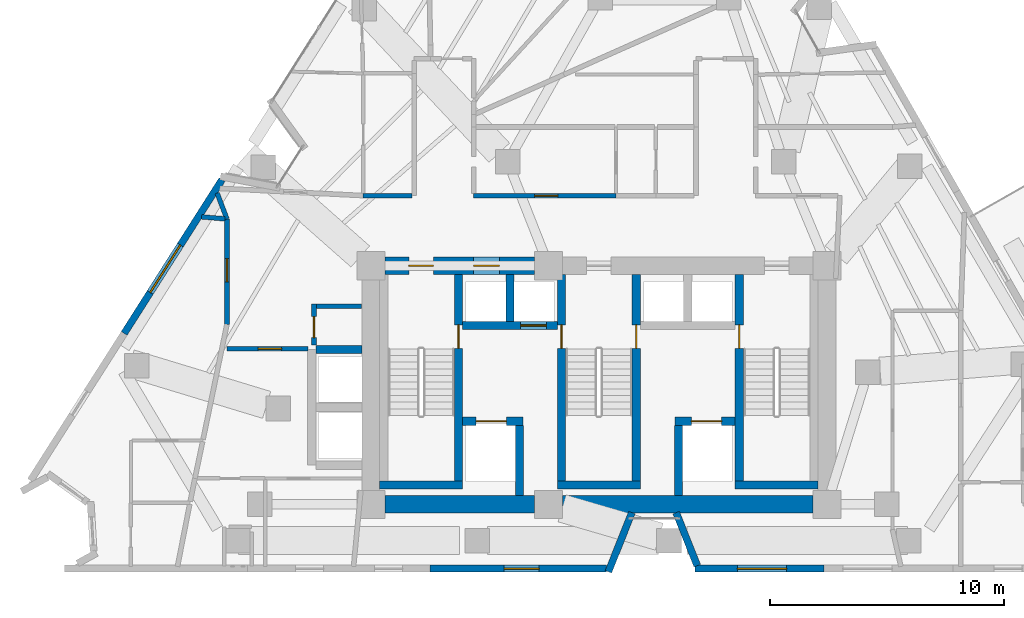
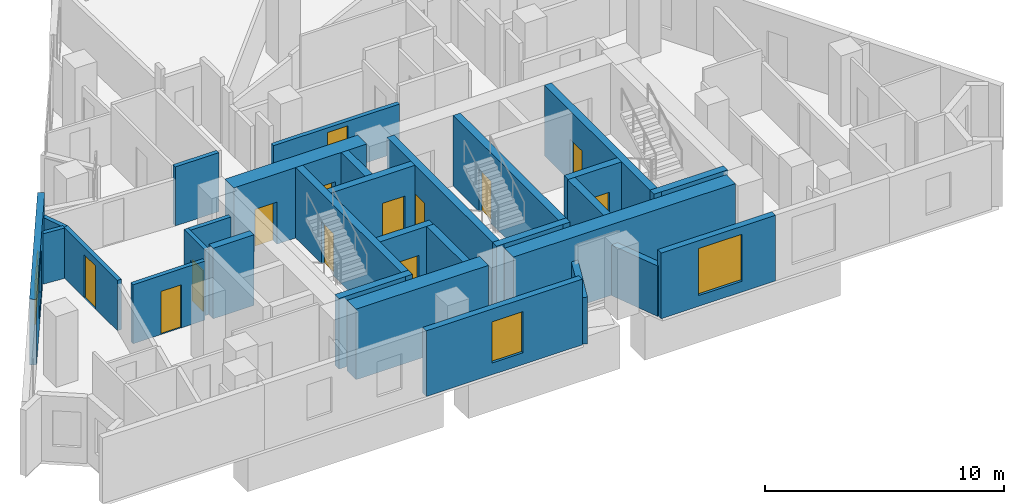
# One storey, part 7 of 12: 30 walls, 13 doors, 3 windows, 16 openings.
"""IFC4 building model written with IfcOpenShell, lengths in metres."""

from ifc_helpers import new_model, si_unit, direction, frame, frame_2d, origin, place, context, subcontext, project, spatial, rectangle, extrude, material, layer, layer_set, type_object, element, fill, save


model = new_model("IFC4")

# Units and contexts
model_context = context("Model", 3, precision=1e-05, world=origin(), true_north=direction((0.0, 1.0)))
body_context = subcontext(model_context, "Body", "Model", "MODEL_VIEW")
ifc_project = project(units=[si_unit("LENGTHUNIT", "METRE"), si_unit("AREAUNIT", "SQUARE_METRE"), si_unit("VOLUMEUNIT", "CUBIC_METRE"), si_unit("PLANEANGLEUNIT", "RADIAN"), si_unit("MASSUNIT", "GRAM", prefix="KILO")], contexts=[model_context])

# Site, building, storey
site_placement = place(None, origin())
site = spatial("IfcSite", under=ifc_project, at=site_placement, CompositionType="ELEMENT")
building_placement = place(site_placement, origin())
building = spatial("IfcBuilding", under=site, at=building_placement, Name="Almagre Mirador Tower", CompositionType="ELEMENT")
storey_placement = place(building_placement, frame((0.0, 0.0, 132.0)))
storey = spatial("IfcBuildingStorey", under=building, at=storey_placement, Name="L33", CompositionType="ELEMENT", Elevation=132.0)

# Wall, opening, window
ifc_material_1 = material(Name="Precast concrete C50/60", Category="concrete")
ifc_layer_1 = layer(ifc_material_1, 0.300048828125)
ifc_layer_set_1 = layer_set([ifc_layer_1], Name="Precast concrete C50/60")
wall_type_1 = type_object("IfcWallType", Name="WAL-EXT-300", PredefinedType="SOLIDWALL", material=ifc_layer_set_1)
wall_1_placement = place(storey_placement, frame((46.924072265625, 1.800048828125, 0.0), z_axis=(0.0, 0.0, 1.0), x_axis=(-1.0, 0.0, 0.0)))
wall_1 = element("IfcWall", 1, at=wall_1_placement, inside=storey, type_object=wall_type_1, Name="L33 expressed almagre precast frame wall 22", PredefinedType="SOLIDWALL", context=body_context, shape_type="SweptSolid", body=[
    extrude(rectangle(XDim=5.508056640625, YDim=0.300048828125, at=frame_2d((2.75390625, 0.0))), origin(), (0.0, 0.0, 1.0), 3.35009765625),
])
opening_1_placement = place(wall_1_placement, frame((1.60009765625, 0.0, 0.550048828125)))
opening_1 = element("IfcOpeningElement", 2, at=opening_1_placement, cuts=wall_1, Name="Opening WN-05", PredefinedType="OPENING", context=body_context, shape_type="SweptSolid", body=[
    extrude(rectangle(XDim=2.10009765625, YDim=2.39990234375, at=frame_2d((1.050048828125, 1.199951171875))), frame((0.0, 0.159902, 0.0), z_axis=(0.0, -1.0, 0.0), x_axis=(1.0, 0.0, 0.0)), (0.0, 0.0, 1.0), 0.320049),
])
ifc_material_2 = material(Name="Dark solar-control laminated hurricane glass", Category="glass")
window_type_1 = type_object("IfcWindowType", Name="WIN-2100X2400", PartitioningType="DOUBLE_PANEL_VERTICAL", PredefinedType="WINDOW", material=ifc_material_2)
window_1_placement = place(opening_1_placement, origin())
window_1 = element("IfcWindow", 3, at=window_1_placement, inside=storey, type_object=window_type_1, Name="L33 recessed hurricane window L33-RST-C", OverallHeight=2.39990234375, OverallWidth=2.10009765625, PartitioningType="SINGLE_PANEL", PredefinedType="WINDOW", context=body_context, shape_type="SweptSolid", body=[
    extrude(rectangle(XDim=2.10009765625, YDim=2.39990234375, at=frame_2d((1.050048828125, 1.199951171875))), frame((0.0, 0.030029296875, 0.0), z_axis=(0.0, -1.0, 0.0), x_axis=(1.0, 0.0, 0.0)), (0.0, 0.0, 1.0), 0.06005859375),
])
fill(opening_1, window_1)

# Walls
wall_2_placement = place(storey_placement, frame((41.504150390625, 1.93017578125, 0.0), z_axis=(0.0, 0.0, 1.0), x_axis=(-0.369476217581, 0.929240186734, 0.0)))
element("IfcWall", 4, at=wall_2_placement, inside=storey, type_object=wall_type_1, Name="L33 expressed almagre precast frame wall 23", PredefinedType="SOLIDWALL", context=body_context, shape_type="SweptSolid", body=[
    extrude(rectangle(XDim=2.441650390625, YDim=0.300048828125, at=frame_2d((1.220703125, 0.0))), origin(), (0.0, 0.0, 1.0), 2.574951171875),
])
wall_3_placement = place(storey_placement, frame((38.7099609375, 4.198974609375, 0.0), z_axis=(0.0, 0.0, 1.0), x_axis=(-0.369487569888, -0.929235672851, 0.0)))
element("IfcWall", 5, at=wall_3_placement, inside=storey, type_object=wall_type_1, Name="L33 expressed almagre precast frame wall 24", PredefinedType="SOLIDWALL", context=body_context, shape_type="SweptSolid", body=[
    extrude(rectangle(XDim=2.7216796875, YDim=0.300048828125, at=frame_2d((1.36083984375, 0.0))), origin(), (0.0, 0.0, 1.0), 2.376953125),
])

# Wall, opening, window
wall_4_placement = place(storey_placement, frame((37.62109375, 1.800048828125, 0.0), z_axis=(0.0, 0.0, 1.0), x_axis=(-1.0, 0.0, 0.0)))
wall_4 = element("IfcWall", 6, at=wall_4_placement, inside=storey, type_object=wall_type_1, Name="L33 expressed almagre precast frame wall 25", PredefinedType="SOLIDWALL", context=body_context, shape_type="SweptSolid", body=[
    extrude(rectangle(XDim=7.537109375, YDim=0.300048828125, at=frame_2d((3.7685546875, 0.0))), origin(), (0.0, 0.0, 1.0), 3.35009765625),
])
opening_2_placement = place(wall_4_placement, frame((2.875, 0.0, 0.60009765625)))
opening_2 = element("IfcOpeningElement", 7, at=opening_2_placement, cuts=wall_4, Name="Opening WN-03", PredefinedType="OPENING", context=body_context, shape_type="SweptSolid", body=[
    extrude(rectangle(XDim=1.5, YDim=2.10009765625, at=frame_2d((0.75, 1.050048828125))), frame((0.0, 0.159902, 0.0), z_axis=(0.0, -1.0, 0.0), x_axis=(1.0, 0.0, 0.0)), (0.0, 0.0, 1.0), 0.320049),
])
ifc_material_3 = material(Name="Dark solar-control laminated hurricane glass", Category="glass")
window_type_2 = type_object("IfcWindowType", Name="WIN-1500X2100", PartitioningType="DOUBLE_PANEL_VERTICAL", PredefinedType="WINDOW", material=ifc_material_3)
window_2_placement = place(opening_2_placement, origin())
window_2 = element("IfcWindow", 8, at=window_2_placement, inside=storey, type_object=window_type_2, Name="L33 recessed hurricane window L33-RST-C", OverallHeight=2.10009765625, OverallWidth=1.5, PartitioningType="SINGLE_PANEL", PredefinedType="WINDOW", context=body_context, shape_type="SweptSolid", body=[
    extrude(rectangle(XDim=1.5, YDim=2.10009765625, at=frame_2d((0.75, 1.050048828125))), frame((0.0, 0.030029296875, 0.0), z_axis=(0.0, -1.0, 0.0), x_axis=(1.0, 0.0, 0.0)), (0.0, 0.0, 1.0), 0.06005859375),
])
fill(opening_2, window_2)

wall_5_placement = place(storey_placement, frame((17.006103515625, 11.859619140625, 0.0), z_axis=(0.0, 0.0, 1.0), x_axis=(0.537098524817, 0.843519516454, 0.0)))
wall_5 = element("IfcWall", 9, at=wall_5_placement, inside=storey, type_object=wall_type_1, Name="L33 expressed almagre precast frame wall 33", PredefinedType="SOLIDWALL", context=body_context, shape_type="SweptSolid", body=[
    extrude(rectangle(XDim=7.79052734375, YDim=0.300048828125, at=frame_2d((3.895263671875, 0.0))), origin(), (0.0, 0.0, 1.0), 3.35009765625),
])
opening_3_placement = place(wall_5_placement, frame((2.074951171875, 0.0, 0.60009765625)))
opening_3 = element("IfcOpeningElement", 10, at=opening_3_placement, cuts=wall_5, Name="Opening WN-02", PredefinedType="OPENING", context=body_context, shape_type="SweptSolid", body=[
    extrude(rectangle(XDim=2.39990234375, YDim=2.10009765625, at=frame_2d((1.199951171875, 1.050048828125))), frame((0.0, 0.159902, 0.0), z_axis=(0.0, -1.0, 0.0), x_axis=(1.0, 0.0, 0.0)), (0.0, 0.0, 1.0), 0.320049),
])
ifc_material_4 = material(Name="Dark solar-control laminated hurricane glass", Category="glass")
window_type_3 = type_object("IfcWindowType", Name="WIN-2400X2100", PartitioningType="TRIPLE_PANEL_VERTICAL", PredefinedType="WINDOW", material=ifc_material_4)
window_3_placement = place(opening_3_placement, origin())
window_3 = element("IfcWindow", 11, at=window_3_placement, inside=storey, type_object=window_type_3, Name="L33 recessed hurricane window L33-UA-ST", OverallHeight=2.10009765625, OverallWidth=2.39990234375, PartitioningType="SINGLE_PANEL", PredefinedType="WINDOW", context=body_context, shape_type="SweptSolid", body=[
    extrude(rectangle(XDim=2.39990234375, YDim=2.10009765625, at=frame_2d((1.199951171875, 1.050048828125))), frame((0.0, 0.030029296875, 0.0), z_axis=(0.0, -1.0, 0.0), x_axis=(1.0, 0.0, 0.0)), (0.0, 0.0, 1.0), 0.06005859375),
])
fill(opening_3, window_3)

# Wall, opening, door
ifc_material_5 = material(Name="Gypsum acoustic stud partition", Category="other")
ifc_layer_2 = layer(ifc_material_5, 0.199951171875)
ifc_layer_set_2 = layer_set([ifc_layer_2], Name="Gypsum acoustic stud partition")
wall_type_2 = type_object("IfcWallType", Name="WAL-PRT-200-EI60", PredefinedType="PARTITIONING", material=ifc_layer_set_2)
wall_6_placement = place(storey_placement, frame((25.1201171875, 11.3701171875, 0.0), z_axis=(0.0, 0.0, 1.0), x_axis=(0.0, 1.0, 0.0)))
wall_6 = element("IfcWall", 12, at=wall_6_placement, inside=storey, type_object=wall_type_2, Name="L33 core ancillary west wall", PredefinedType="PARTITIONING", context=body_context, shape_type="SweptSolid", body=[
    extrude(rectangle(XDim=1.739990234375, YDim=0.199951171875, at=frame_2d((0.8701171875, 0.0))), origin(), (0.0, 0.0, 1.0), 3.35009765625),
])
opening_4_placement = place(wall_6_placement, frame((0.304931640625, 0.0, 0.0)))
opening_4 = element("IfcOpeningElement", 13, at=opening_4_placement, cuts=wall_6, Name="Opening ID-03", PredefinedType="OPENING", context=body_context, shape_type="SweptSolid", body=[
    extrude(rectangle(XDim=0.89990234375, YDim=2.10009765625, at=frame_2d((0.449951171875, 1.050048828125))), frame((0.0, 0.110098, 0.0), z_axis=(0.0, -1.0, 0.0), x_axis=(1.0, 0.0, 0.0)), (0.0, 0.0, 1.0), 0.219951),
])
ifc_material_6 = material(Name="Fire-rated hollow steel", Category="steel")
door_type_1 = type_object("IfcDoorType", Name="DOR-FD60-900X2100", OperationType="NOTDEFINED", PredefinedType="DOOR", material=ifc_material_6)
door_1_placement = place(opening_4_placement, origin())
door_1 = element("IfcDoor", 14, at=door_1_placement, inside=storey, type_object=door_type_1, Name="DR-1066 L33 core ancillary corridor door", OperationType="SINGLE_SWING_RIGHT", OverallHeight=2.10009765625, OverallWidth=0.89990234375, PredefinedType="DOOR", context=body_context, shape_type="SweptSolid", body=[
    extrude(rectangle(XDim=0.89990234375, YDim=2.10009765625, at=frame_2d((0.449951171875, 1.050048828125))), frame((0.0, 0.02490234375, 0.0), z_axis=(0.0, -1.0, 0.0), x_axis=(1.0, 0.0, 0.0)), (0.0, 0.0, 1.0), 0.050048828125),
])
fill(opening_4, door_1)

# Wall
wall_7_placement = place(storey_placement, frame((25.22509765625, 13.02001953125, 0.0), z_axis=(0.0, 0.0, 1.0), x_axis=(1.0, 0.0, 0.0)))
element("IfcWall", 15, at=wall_7_placement, inside=storey, type_object=wall_type_2, Name="L33 core ancillary north wall", PredefinedType="PARTITIONING", context=body_context, shape_type="SweptSolid", body=[
    extrude(rectangle(XDim=1.934814453125, YDim=0.199951171875, at=frame_2d((0.96728515625, 0.0))), origin(), (0.0, 0.0, 1.0), 3.35009765625),
])

# Wall, opening, door
wall_8_placement = place(storey_placement, frame((21.39990234375, 16.75, 0.0), z_axis=(0.0, 0.0, 1.0), x_axis=(0.0, -1.0, 0.0)))
wall_8 = element("IfcWall", 16, at=wall_8_placement, inside=storey, type_object=wall_type_2, Name="L33 interior partition 001", PredefinedType="PARTITIONING", context=body_context, shape_type="SweptSolid", body=[
    extrude(rectangle(XDim=4.5, YDim=0.199951171875, at=frame_2d((2.25, 0.0))), origin(), (0.0, 0.0, 1.0), 2.570068359375),
])
opening_5_placement = place(wall_8_placement, frame((1.6904296875, 0.0, 0.0)))
opening_5 = element("IfcOpeningElement", 17, at=opening_5_placement, cuts=wall_8, Name="Opening ID-01", PredefinedType="OPENING", context=body_context, shape_type="SweptSolid", body=[
    extrude(rectangle(XDim=1.0, YDim=2.199951171875, at=frame_2d((0.5, 1.10009765625))), frame((0.0, 0.110098, 0.0), z_axis=(0.0, -1.0, 0.0), x_axis=(1.0, 0.0, 0.0)), (0.0, 0.0, 1.0), 0.219951),
])
ifc_material_7 = material(Name="Fire-rated walnut timber", Category="wood")
door_type_2 = type_object("IfcDoorType", Name="DOR-FD60-1000X2200", OperationType="NOTDEFINED", PredefinedType="DOOR", material=ifc_material_7)
door_2_placement = place(opening_5_placement, origin())
door_2 = element("IfcDoor", 18, at=door_2_placement, inside=storey, type_object=door_type_2, Name="DR-1072 L33 interior door L33-RCOR to L33-UA-ST", OperationType="SINGLE_SWING_RIGHT", OverallHeight=2.199951171875, OverallWidth=1.0, PredefinedType="DOOR", context=body_context, shape_type="SweptSolid", body=[
    extrude(rectangle(XDim=1.0, YDim=2.199951171875, at=frame_2d((0.5, 1.10009765625))), frame((0.0, 0.02490234375, 0.0), z_axis=(0.0, -1.0, 0.0), x_axis=(1.0, 0.0, 0.0)), (0.0, 0.0, 1.0), 0.050048828125),
])
fill(opening_5, door_2)

wall_9_placement = place(storey_placement, frame((21.39990234375, 11.199951171875, 0.0), z_axis=(0.0, 0.0, 1.0), x_axis=(1.0, 0.0, 0.0)))
wall_9 = element("IfcWall", 19, at=wall_9_placement, inside=storey, type_object=wall_type_2, Name="L33 interior partition 003", PredefinedType="PARTITIONING", context=body_context, shape_type="SweptSolid", body=[
    extrude(rectangle(XDim=3.46923828125, YDim=0.199951171875, at=frame_2d((1.734619140625, 0.0))), origin(), (0.0, 0.0, 1.0), 3.010009765625),
])
opening_6_placement = place(wall_9_placement, frame((1.334716796875, 0.0, 0.0)))
opening_6 = element("IfcOpeningElement", 20, at=opening_6_placement, cuts=wall_9, Name="Opening ID-01", PredefinedType="OPENING", context=body_context, shape_type="SweptSolid", body=[
    extrude(rectangle(XDim=1.0, YDim=2.199951171875, at=frame_2d((0.5, 1.10009765625))), frame((0.0, 0.110098, 0.0), z_axis=(0.0, -1.0, 0.0), x_axis=(1.0, 0.0, 0.0)), (0.0, 0.0, 1.0), 0.219951),
])
door_3_placement = place(opening_6_placement, origin())
door_3 = element("IfcDoor", 21, at=door_3_placement, inside=storey, type_object=door_type_2, Name="DR-1075 L33 interior door L33-RCOR to L33-UB-ST", OperationType="SINGLE_SWING_LEFT", OverallHeight=2.199951171875, OverallWidth=1.0, PredefinedType="DOOR", context=body_context, shape_type="SweptSolid", body=[
    extrude(rectangle(XDim=1.0, YDim=2.199951171875, at=frame_2d((0.5, 1.10009765625))), frame((0.0, 0.02490234375, 0.0), z_axis=(0.0, -1.0, 0.0), x_axis=(1.0, 0.0, 0.0)), (0.0, 0.0, 1.0), 0.050048828125),
])
fill(opening_6, door_3)

wall_10_placement = place(storey_placement, frame((38.030029296875, 17.75, 0.0), z_axis=(0.0, 0.0, 1.0), x_axis=(-1.0, 0.0, 0.0)))
wall_10 = element("IfcWall", 22, at=wall_10_placement, inside=storey, type_object=wall_type_2, Name="L33 interior partition 008", PredefinedType="PARTITIONING", context=body_context, shape_type="SweptSolid", body=[
    extrude(rectangle(XDim=6.080078125, YDim=0.199951171875, at=frame_2d((3.0400390625, 0.0))), origin(), (0.0, 0.0, 1.0), 2.43603515625),
])
opening_7_placement = place(wall_10_placement, frame((2.4814453125, 0.0, 0.0)))
opening_7 = element("IfcOpeningElement", 23, at=opening_7_placement, cuts=wall_10, Name="Opening ID-01", PredefinedType="OPENING", context=body_context, shape_type="SweptSolid", body=[
    extrude(rectangle(XDim=1.0, YDim=2.199951171875, at=frame_2d((0.5, 1.10009765625))), frame((0.0, 0.110098, 0.0), z_axis=(0.0, -1.0, 0.0), x_axis=(1.0, 0.0, 0.0)), (0.0, 0.0, 1.0), 0.219951),
])
door_4_placement = place(opening_7_placement, origin())
door_4 = element("IfcDoor", 24, at=door_4_placement, inside=storey, type_object=door_type_2, Name="DR-1083 L33 interior door L33-RCOR to L33-UF-ST", OperationType="SINGLE_SWING_RIGHT", OverallHeight=2.199951171875, OverallWidth=1.0, PredefinedType="DOOR", context=body_context, shape_type="SweptSolid", body=[
    extrude(rectangle(XDim=1.0, YDim=2.199951171875, at=frame_2d((0.5, 1.10009765625))), frame((0.0, 0.02490234375, 0.0), z_axis=(0.0, -1.0, 0.0), x_axis=(1.0, 0.0, 0.0)), (0.0, 0.0, 1.0), 0.050048828125),
])
fill(opening_7, door_4)

# Walls
wall_11_placement = place(storey_placement, frame((20.98095703125, 17.85693359375, 0.0), z_axis=(0.0, 0.0, 1.0), x_axis=(0.353970125301, -0.935256729671, 0.0)))
element("IfcWall", 25, at=wall_11_placement, inside=storey, type_object=wall_type_2, Name="L33 interior partition 015", PredefinedType="PARTITIONING", context=body_context, shape_type="SweptSolid", body=[
    extrude(rectangle(XDim=1.18359375, YDim=0.199951171875, at=frame_2d((0.591796875, 0.0))), origin(), (0.0, 0.0, 1.0), 2.570068359375),
])
wall_12_placement = place(storey_placement, frame((29.31494140625, 17.75, 0.0), z_axis=(0.0, 0.0, 1.0), x_axis=(-1.0, 0.0, 0.0)))
element("IfcWall", 26, at=wall_12_placement, inside=storey, type_object=wall_type_2, Name="L33 interior partition 019", PredefinedType="PARTITIONING", context=body_context, shape_type="SweptSolid", body=[
    extrude(rectangle(XDim=2.094970703125, YDim=0.199951171875, at=frame_2d((1.04736328125, 0.0))), origin(), (0.0, 0.0, 1.0), 3.010009765625),
])
wall_13_placement = place(storey_placement, frame((21.315185546875, 16.75537109375, 0.0), z_axis=(0.0, 0.0, 1.0), x_axis=(-0.996327050831, 0.085629479638, 0.0)))
element("IfcWall", 27, at=wall_13_placement, inside=storey, type_object=wall_type_2, Name="L33 interior partition 034", PredefinedType="PARTITIONING", context=body_context, shape_type="SweptSolid", body=[
    extrude(rectangle(XDim=1.000732421875, YDim=0.199951171875, at=frame_2d((0.50048828125, 0.0))), origin(), (0.0, 0.0, 1.0), 2.570068359375),
])

# Wall, opening, door
ifc_material_8 = material(Name="Concrete C60/75", Category="concrete")
ifc_layer_3 = layer(ifc_material_8, 0.35009765625)
ifc_layer_set_3 = layer_set([ifc_layer_3], Name="Concrete C60/75")
wall_type_3 = type_object("IfcWallType", Name="WAL-SHF-350", PredefinedType="SOLIDWALL", material=ifc_layer_set_3)
wall_14_placement = place(storey_placement, frame((31.300048828125, 5.199951171875, 0.0), z_axis=(0.0, 0.0, 1.0), x_axis=(0.0, 1.0, 0.0)))
wall_14 = element("IfcWall", 28, at=wall_14_placement, inside=storey, type_object=wall_type_3, Name="L33 shaft wall ST1-E", PredefinedType="SOLIDWALL", context=body_context, shape_type="SweptSolid", body=[
    extrude(rectangle(XDim=9.175048828125, YDim=0.35009765625, at=frame_2d((4.58740234375, 0.0))), origin(), (0.0, 0.0, 1.0), 3.60009765625),
])
opening_8_placement = place(wall_14_placement, frame((6.02001953125, 0.0, 0.0)))
opening_8 = element("IfcOpeningElement", 29, at=opening_8_placement, cuts=wall_14, Name="Opening FD-01", PredefinedType="OPENING", context=body_context, shape_type="SweptSolid", body=[
    extrude(rectangle(XDim=1.0, YDim=2.14990234375, at=frame_2d((0.5, 1.074951171875))), frame((0.0, 0.185049, 0.0), z_axis=(0.0, -1.0, 0.0), x_axis=(1.0, 0.0, 0.0)), (0.0, 0.0, 1.0), 0.370098),
])
ifc_material_9 = material(Name="Fire-rated hollow steel", Category="steel")
door_type_3 = type_object("IfcDoorType", Name="DOR-FFL-1000X2150", OperationType="NOTDEFINED", PredefinedType="DOOR", material=ifc_material_9)
door_5_placement = place(opening_8_placement, origin())
door_5 = element("IfcDoor", 30, at=door_5_placement, inside=storey, type_object=door_type_3, Name="DR-1067 L33 FFL1-ST1 smokeproof door", OperationType="SINGLE_SWING_RIGHT", OverallHeight=2.14990234375, OverallWidth=1.0, PredefinedType="DOOR", context=body_context, shape_type="SweptSolid", body=[
    extrude(rectangle(XDim=1.0, YDim=2.14990234375, at=frame_2d((0.5, 1.074951171875))), frame((0.0, 0.02490234375, 0.0), z_axis=(0.0, -1.0, 0.0), x_axis=(1.0, 0.0, 0.0)), (0.0, 0.0, 1.0), 0.050048828125),
])
fill(opening_8, door_5)

# Wall
wall_15_placement = place(storey_placement, frame((27.925048828125, 5.375, 0.0), z_axis=(0.0, 0.0, 1.0), x_axis=(1.0, 0.0, 0.0)))
element("IfcWall", 31, at=wall_15_placement, inside=storey, type_object=wall_type_3, Name="L33 shaft wall ST1-S", PredefinedType="SOLIDWALL", context=body_context, shape_type="SweptSolid", body=[
    extrude(rectangle(XDim=3.550048828125, YDim=0.35009765625, at=frame_2d((1.77490234375, 0.0))), origin(), (0.0, 0.0, 1.0), 3.60009765625),
])

# Wall, opening, door
wall_16_placement = place(storey_placement, frame((35.699951171875, 5.199951171875, 0.0), z_axis=(0.0, 0.0, 1.0), x_axis=(0.0, 1.0, 0.0)))
wall_16 = element("IfcWall", 32, at=wall_16_placement, inside=storey, type_object=wall_type_3, Name="L33 shaft wall ST2-W", PredefinedType="SOLIDWALL", context=body_context, shape_type="SweptSolid", body=[
    extrude(rectangle(XDim=9.175048828125, YDim=0.35009765625, at=frame_2d((4.58740234375, 0.0))), origin(), (0.0, 0.0, 1.0), 3.60009765625),
])
opening_9_placement = place(wall_16_placement, frame((6.02001953125, 0.0, 0.0)))
opening_9 = element("IfcOpeningElement", 33, at=opening_9_placement, cuts=wall_16, Name="Opening FD-01", PredefinedType="OPENING", context=body_context, shape_type="SweptSolid", body=[
    extrude(rectangle(XDim=1.0, YDim=2.14990234375, at=frame_2d((0.5, 1.074951171875))), frame((0.0, 0.185049, 0.0), z_axis=(0.0, -1.0, 0.0), x_axis=(1.0, 0.0, 0.0)), (0.0, 0.0, 1.0), 0.370098),
])
door_6_placement = place(opening_9_placement, origin())
door_6 = element("IfcDoor", 34, at=door_6_placement, inside=storey, type_object=door_type_3, Name="DR-1068 L33 FFL1-ST2 smokeproof door", OperationType="SINGLE_SWING_LEFT", OverallHeight=2.14990234375, OverallWidth=1.0, PredefinedType="DOOR", context=body_context, shape_type="SweptSolid", body=[
    extrude(rectangle(XDim=1.0, YDim=2.14990234375, at=frame_2d((0.5, 1.074951171875))), frame((0.0, 0.02490234375, 0.0), z_axis=(0.0, -1.0, 0.0), x_axis=(1.0, 0.0, 0.0)), (0.0, 0.0, 1.0), 0.050048828125),
])
fill(opening_9, door_6)

wall_17_placement = place(storey_placement, frame((38.89990234375, 5.199951171875, 0.0), z_axis=(0.0, 0.0, 1.0), x_axis=(0.0, 1.0, 0.0)))
wall_17 = element("IfcWall", 35, at=wall_17_placement, inside=storey, type_object=wall_type_3, Name="L33 shaft wall ST2-E", PredefinedType="SOLIDWALL", context=body_context, shape_type="SweptSolid", body=[
    extrude(rectangle(XDim=9.175048828125, YDim=0.35009765625, at=frame_2d((4.58740234375, 0.0))), origin(), (0.0, 0.0, 1.0), 3.60009765625),
])
opening_10_placement = place(wall_17_placement, frame((6.02001953125, 0.0, 0.0)))
opening_10 = element("IfcOpeningElement", 36, at=opening_10_placement, cuts=wall_17, Name="Opening FD-01", PredefinedType="OPENING", context=body_context, shape_type="SweptSolid", body=[
    extrude(rectangle(XDim=1.0, YDim=2.14990234375, at=frame_2d((0.5, 1.074951171875))), frame((0.0, 0.185049, 0.0), z_axis=(0.0, -1.0, 0.0), x_axis=(1.0, 0.0, 0.0)), (0.0, 0.0, 1.0), 0.370098),
])
door_7_placement = place(opening_10_placement, origin())
door_7 = element("IfcDoor", 37, at=door_7_placement, inside=storey, type_object=door_type_3, Name="DR-1069 L33 FFL2-ST2 smokeproof door", OperationType="SINGLE_SWING_RIGHT", OverallHeight=2.14990234375, OverallWidth=1.0, PredefinedType="DOOR", context=body_context, shape_type="SweptSolid", body=[
    extrude(rectangle(XDim=1.0, YDim=2.14990234375, at=frame_2d((0.5, 1.074951171875))), frame((0.0, 0.02490234375, 0.0), z_axis=(0.0, -1.0, 0.0), x_axis=(1.0, 0.0, 0.0)), (0.0, 0.0, 1.0), 0.050048828125),
])
fill(opening_10, door_7)

# Wall
wall_18_placement = place(storey_placement, frame((35.52490234375, 5.375, 0.0), z_axis=(0.0, 0.0, 1.0), x_axis=(1.0, 0.0, 0.0)))
element("IfcWall", 38, at=wall_18_placement, inside=storey, type_object=wall_type_3, Name="L33 shaft wall ST2-S", PredefinedType="SOLIDWALL", context=body_context, shape_type="SweptSolid", body=[
    extrude(rectangle(XDim=3.550048828125, YDim=0.35009765625, at=frame_2d((1.77490234375, 0.0))), origin(), (0.0, 0.0, 1.0), 3.60009765625),
])

# Wall, opening, door
wall_19_placement = place(storey_placement, frame((43.300048828125, 5.199951171875, 0.0), z_axis=(0.0, 0.0, 1.0), x_axis=(0.0, 1.0, 0.0)))
wall_19 = element("IfcWall", 39, at=wall_19_placement, inside=storey, type_object=wall_type_3, Name="L33 shaft wall ST3-W", PredefinedType="SOLIDWALL", context=body_context, shape_type="SweptSolid", body=[
    extrude(rectangle(XDim=9.175048828125, YDim=0.35009765625, at=frame_2d((4.58740234375, 0.0))), origin(), (0.0, 0.0, 1.0), 3.60009765625),
])
opening_11_placement = place(wall_19_placement, frame((6.02001953125, 0.0, 0.0)))
opening_11 = element("IfcOpeningElement", 40, at=opening_11_placement, cuts=wall_19, Name="Opening FD-01", PredefinedType="OPENING", context=body_context, shape_type="SweptSolid", body=[
    extrude(rectangle(XDim=1.0, YDim=2.14990234375, at=frame_2d((0.5, 1.074951171875))), frame((0.0, 0.185049, 0.0), z_axis=(0.0, -1.0, 0.0), x_axis=(1.0, 0.0, 0.0)), (0.0, 0.0, 1.0), 0.370098),
])
door_8_placement = place(opening_11_placement, origin())
door_8 = element("IfcDoor", 41, at=door_8_placement, inside=storey, type_object=door_type_3, Name="DR-1070 L33 FFL2-ST3 smokeproof door", OperationType="SINGLE_SWING_LEFT", OverallHeight=2.14990234375, OverallWidth=1.0, PredefinedType="DOOR", context=body_context, shape_type="SweptSolid", body=[
    extrude(rectangle(XDim=1.0, YDim=2.14990234375, at=frame_2d((0.5, 1.074951171875))), frame((0.0, 0.02490234375, 0.0), z_axis=(0.0, -1.0, 0.0), x_axis=(1.0, 0.0, 0.0)), (0.0, 0.0, 1.0), 0.050048828125),
])
fill(opening_11, door_8)

# Wall
wall_20_placement = place(storey_placement, frame((43.125, 5.375, 0.0), z_axis=(0.0, 0.0, 1.0), x_axis=(1.0, 0.0, 0.0)))
element("IfcWall", 42, at=wall_20_placement, inside=storey, type_object=wall_type_3, Name="L33 shaft wall ST3-S", PredefinedType="SOLIDWALL", context=body_context, shape_type="SweptSolid", body=[
    extrude(rectangle(XDim=3.550048828125, YDim=0.35009765625, at=frame_2d((1.77490234375, 0.0))), origin(), (0.0, 0.0, 1.0), 3.60009765625),
])

# Wall, opening, door
wall_21_placement = place(storey_placement, frame((31.47509765625, 8.10009765625, 0.0), z_axis=(0.0, 0.0, 1.0), x_axis=(1.0, 0.0, 0.0)))
wall_21 = element("IfcWall", 43, at=wall_21_placement, inside=storey, type_object=wall_type_3, Name="L33 shaft wall FSAE1-N", PredefinedType="SOLIDWALL", context=body_context, shape_type="SweptSolid", body=[
    extrude(rectangle(XDim=2.574951171875, YDim=0.35009765625, at=frame_2d((1.28759765625, 0.0))), origin(), (0.0, 0.0, 1.0), 3.60009765625),
])
opening_12_placement = place(wall_21_placement, frame((0.574951171875, 0.0, 0.0)))
opening_12 = element("IfcOpeningElement", 44, at=opening_12_placement, cuts=wall_21, Name="Opening LD-03", PredefinedType="OPENING", context=body_context, shape_type="SweptSolid", body=[
    extrude(rectangle(XDim=1.300048828125, YDim=2.25, at=frame_2d((0.64990234375, 1.125))), frame((0.0, 0.185049, 0.0), z_axis=(0.0, -1.0, 0.0), x_axis=(1.0, 0.0, 0.0)), (0.0, 0.0, 1.0), 0.370098),
])
ifc_material_10 = material(Name="Hollow stainless steel", Category="steel")
door_type_4 = type_object("IfcDoorType", Name="DOR-LD-1300X2250", OperationType="DOUBLE_DOOR_SLIDING", PredefinedType="DOOR", material=ifc_material_10)
door_9_placement = place(opening_12_placement, origin())
door_9 = element("IfcDoor", 45, at=door_9_placement, inside=storey, type_object=door_type_4, Name="DR-1093 L33 FSAE-1 lift landing door", OperationType="DOUBLE_DOOR_SLIDING", OverallHeight=2.25, OverallWidth=1.300048828125, PredefinedType="DOOR", context=body_context, shape_type="SweptSolid", body=[
    extrude(rectangle(XDim=1.300048828125, YDim=2.25, at=frame_2d((0.64990234375, 1.125))), frame((0.0, 0.02490234375, 0.0), z_axis=(0.0, -1.0, 0.0), x_axis=(1.0, 0.0, 0.0)), (0.0, 0.0, 1.0), 0.050048828125),
])
fill(opening_12, door_9)

wall_22_placement = place(storey_placement, frame((40.550048828125, 8.10009765625, 0.0), z_axis=(0.0, 0.0, 1.0), x_axis=(1.0, 0.0, 0.0)))
wall_22 = element("IfcWall", 46, at=wall_22_placement, inside=storey, type_object=wall_type_3, Name="L33 shaft wall FSAE2-N", PredefinedType="SOLIDWALL", context=body_context, shape_type="SweptSolid", body=[
    extrude(rectangle(XDim=2.574951171875, YDim=0.35009765625, at=frame_2d((1.28759765625, 0.0))), origin(), (0.0, 0.0, 1.0), 3.60009765625),
])
opening_13_placement = place(wall_22_placement, frame((0.699951171875, 0.0, 0.0)))
opening_13 = element("IfcOpeningElement", 47, at=opening_13_placement, cuts=wall_22, Name="Opening LD-03", PredefinedType="OPENING", context=body_context, shape_type="SweptSolid", body=[
    extrude(rectangle(XDim=1.300048828125, YDim=2.25, at=frame_2d((0.64990234375, 1.125))), frame((0.0, 0.185049, 0.0), z_axis=(0.0, -1.0, 0.0), x_axis=(1.0, 0.0, 0.0)), (0.0, 0.0, 1.0), 0.370098),
])
door_10_placement = place(opening_13_placement, origin())
door_10 = element("IfcDoor", 48, at=door_10_placement, inside=storey, type_object=door_type_4, Name="DR-1094 L33 FSAE-2 lift landing door", OperationType="DOUBLE_DOOR_SLIDING", OverallHeight=2.25, OverallWidth=1.300048828125, PredefinedType="DOOR", context=body_context, shape_type="SweptSolid", body=[
    extrude(rectangle(XDim=1.300048828125, YDim=2.25, at=frame_2d((0.64990234375, 1.125))), frame((0.0, 0.02490234375, 0.0), z_axis=(0.0, -1.0, 0.0), x_axis=(1.0, 0.0, 0.0)), (0.0, 0.0, 1.0), 0.050048828125),
])
fill(opening_13, door_10)

# Walls
for number, where, z_axis, x_axis, name in (
    (49, (33.89990234375, 4.925048828125, 0.0), (0.0, 0.0, 1.0), (0.0, 1.0, 0.0), "L33 shaft wall FSAE1-E"),
    (50, (40.699951171875, 4.925048828125, 0.0), (0.0, 0.0, 1.0), (0.0, 1.0, 0.0), "L33 shaft wall FSAE2-W"),
):
    element("IfcWall", number, at=place(storey_placement, frame(where, z_axis=z_axis, x_axis=x_axis)), inside=storey, type_object=wall_type_3, Name=name, PredefinedType="SOLIDWALL", context=body_context, shape_type="SweptSolid", body=[
        extrude(rectangle(XDim=3.0, YDim=0.35009765625, at=frame_2d((1.5, 0.0))), origin(), (0.0, 0.0, 1.0), 3.60009765625),
    ])

# Wall, opening, door
wall_23_placement = place(storey_placement, frame((31.47509765625, 12.199951171875, 0.0), z_axis=(0.0, 0.0, 1.0), x_axis=(1.0, 0.0, 0.0)))
wall_23 = element("IfcWall", 51, at=wall_23_placement, inside=storey, type_object=wall_type_3, Name="L33 shaft wall PLM-S", PredefinedType="SOLIDWALL", context=body_context, shape_type="SweptSolid", body=[
    extrude(rectangle(XDim=4.0498046875, YDim=0.35009765625, at=frame_2d((2.02490234375, 0.0))), origin(), (0.0, 0.0, 1.0), 3.60009765625),
])
opening_14_placement = place(wall_23_placement, frame((2.47509765625, 0.0, 0.0)))
opening_14 = element("IfcOpeningElement", 52, at=opening_14_placement, cuts=wall_23, Name="Opening LD-01", PredefinedType="OPENING", context=body_context, shape_type="SweptSolid", body=[
    extrude(rectangle(XDim=1.10009765625, YDim=2.199951171875, at=frame_2d((0.550048828125, 1.10009765625))), frame((0.0, 0.185049, 0.0), z_axis=(0.0, -1.0, 0.0), x_axis=(1.0, 0.0, 0.0)), (0.0, 0.0, 1.0), 0.370098),
])
ifc_material_11 = material(Name="Hollow stainless steel", Category="steel")
door_type_5 = type_object("IfcDoorType", Name="DOR-LD-1100X2200", OperationType="DOUBLE_DOOR_SLIDING", PredefinedType="DOOR", material=ifc_material_11)
door_11_placement = place(opening_14_placement, origin())
door_11 = element("IfcDoor", 53, at=door_11_placement, inside=storey, type_object=door_type_5, Name="DR-1096 L33 PL-M2 lift landing door", OperationType="DOUBLE_DOOR_SLIDING", OverallHeight=2.199951171875, OverallWidth=1.10009765625, PredefinedType="DOOR", context=body_context, shape_type="SweptSolid", body=[
    extrude(rectangle(XDim=1.10009765625, YDim=2.199951171875, at=frame_2d((0.550048828125, 1.10009765625))), frame((0.0, 0.02490234375, 0.0), z_axis=(0.0, -1.0, 0.0), x_axis=(1.0, 0.0, 0.0)), (0.0, 0.0, 1.0), 0.050048828125),
])
fill(opening_14, door_11)

# Walls
wall_24_placement = place(storey_placement, frame((33.5, 12.375, 0.0), z_axis=(0.0, 0.0, 1.0), x_axis=(0.0, 1.0, 0.0)))
element("IfcWall", 54, at=wall_24_placement, inside=storey, type_object=wall_type_3, Name="L33 shaft wall PLM-M", PredefinedType="SOLIDWALL", context=body_context, shape_type="SweptSolid", body=[
    extrude(rectangle(XDim=2.0, YDim=0.35009765625, at=frame_2d((1.0, 0.0))), origin(), (0.0, 0.0, 1.0), 3.60009765625),
])
wall_25_placement = place(storey_placement, frame((25.199951171875, 11.175048828125, 0.0), z_axis=(0.0, 0.0, 1.0), x_axis=(1.0, 0.0, 0.0)))
element("IfcWall", 55, at=wall_25_placement, inside=storey, type_object=wall_type_3, Name="L33 shaft wall OL-N", PredefinedType="SOLIDWALL", context=body_context, shape_type="SweptSolid", body=[
    extrude(rectangle(XDim=1.97509765625, YDim=0.35009765625, at=frame_2d((0.987548828125, 0.0))), origin(), (0.0, 0.0, 1.0), 3.60009765625),
])
ifc_material_12 = material(Name="Concrete C60/75", Category="concrete")
ifc_layer_4 = layer(ifc_material_12, 0.75)
ifc_layer_set_4 = layer_set([ifc_layer_4], Name="Concrete C60/75")
wall_type_4 = type_object("IfcWallType", Name="WAL-SHR-750", PredefinedType="SHEAR", material=ifc_layer_set_4)
wall_26_placement = place(storey_placement, frame((28.14990234375, 4.550048828125, 0.0), z_axis=(0.0, 0.0, 1.0), x_axis=(1.0, 0.0, 0.0)))
element("IfcWall", 56, at=wall_26_placement, inside=storey, type_object=wall_type_4, Name="L33 core shear wall S1", PredefinedType="SHEAR", context=body_context, shape_type="SweptSolid", body=[
    extrude(rectangle(XDim=6.400146484375, YDim=0.75, at=frame_2d((3.2001953125, 0.0))), origin(), (0.0, 0.0, 1.0), 3.60009765625),
])
wall_27_placement = place(storey_placement, frame((35.75, 4.550048828125, 0.0), z_axis=(0.0, 0.0, 1.0), x_axis=(1.0, 0.0, 0.0)))
element("IfcWall", 57, at=wall_27_placement, inside=storey, type_object=wall_type_4, Name="L33 core shear wall S2", PredefinedType="SHEAR", context=body_context, shape_type="SweptSolid", body=[
    extrude(rectangle(XDim=10.699951171875, YDim=0.75, at=frame_2d((5.35009765625, 0.0))), origin(), (0.0, 0.0, 1.0), 3.60009765625),
])

# Wall, openings, doors
wall_28_placement = place(storey_placement, frame((28.14990234375, 14.75, 0.0), z_axis=(0.0, 0.0, 1.0), x_axis=(1.0, 0.0, 0.0)))
wall_28 = element("IfcWall", 58, at=wall_28_placement, inside=storey, type_object=wall_type_4, Name="L33 core shear wall N1", PredefinedType="SHEAR", context=body_context, shape_type="SweptSolid", body=[
    extrude(rectangle(XDim=6.400146484375, YDim=0.75, at=frame_2d((3.2001953125, 0.0))), origin(), (0.0, 0.0, 1.0), 3.60009765625),
])
opening_15_placement = place(wall_28_placement, frame((1.02490234375, 0.0, 0.0)))
opening_15 = element("IfcOpeningElement", 59, at=opening_15_placement, cuts=wall_28, Name="Opening SD-01", PredefinedType="OPENING", context=body_context, shape_type="SweptSolid", body=[
    extrude(rectangle(XDim=1.050048828125, YDim=2.14990234375, at=frame_2d((0.52490234375, 1.074951171875))), frame((0.0, 0.385, 0.0), z_axis=(0.0, -1.0, 0.0), x_axis=(1.0, 0.0, 0.0)), (0.0, 0.0, 1.0), 0.77),
])
opening_16_placement = place(wall_28_placement, frame((3.800048828125, 0.0, 0.0)))
opening_16 = element("IfcOpeningElement", 60, at=opening_16_placement, cuts=wall_28, Name="Opening LD-01", PredefinedType="OPENING", context=body_context, shape_type="SweptSolid", body=[
    extrude(rectangle(XDim=1.10009765625, YDim=2.199951171875, at=frame_2d((0.550048828125, 1.10009765625))), frame((0.0, 0.385, 0.0), z_axis=(0.0, -1.0, 0.0), x_axis=(1.0, 0.0, 0.0)), (0.0, 0.0, 1.0), 0.77),
])
door_12_placement = place(opening_16_placement, origin())
door_12 = element("IfcDoor", 61, at=door_12_placement, inside=storey, type_object=door_type_5, Name="DR-1095 L33 PL-M1 lift landing door", OperationType="DOUBLE_DOOR_SLIDING", OverallHeight=2.199951171875, OverallWidth=1.10009765625, PredefinedType="DOOR", context=body_context, shape_type="SweptSolid", body=[
    extrude(rectangle(XDim=1.10009765625, YDim=2.199951171875, at=frame_2d((0.550048828125, 1.10009765625))), frame((0.0, 0.02490234375, 0.0), z_axis=(0.0, -1.0, 0.0), x_axis=(1.0, 0.0, 0.0)), (0.0, 0.0, 1.0), 0.050048828125),
])
fill(opening_16, door_12)
ifc_material_13 = material(Name="Fire-rated hollow steel", Category="steel")
door_type_6 = type_object("IfcDoorType", Name="DOR-ST-1050X2150", OperationType="NOTDEFINED", PredefinedType="DOOR", material=ifc_material_13)
door_13_placement = place(opening_15_placement, origin())
door_13 = element("IfcDoor", 62, at=door_13_placement, inside=storey, type_object=door_type_6, Name="DR-1097 L33 protected exit stair ST-1 door", OperationType="SINGLE_SWING_RIGHT", OverallHeight=2.14990234375, OverallWidth=1.050048828125, PredefinedType="DOOR", context=body_context, shape_type="SweptSolid", body=[
    extrude(rectangle(XDim=1.050048828125, YDim=2.14990234375, at=frame_2d((0.52490234375, 1.074951171875))), frame((0.0, 0.02490234375, 0.0), z_axis=(0.0, -1.0, 0.0), x_axis=(1.0, 0.0, 0.0)), (0.0, 0.0, 1.0), 0.050048828125),
])
fill(opening_15, door_13)

save(model, "model.ifc")
